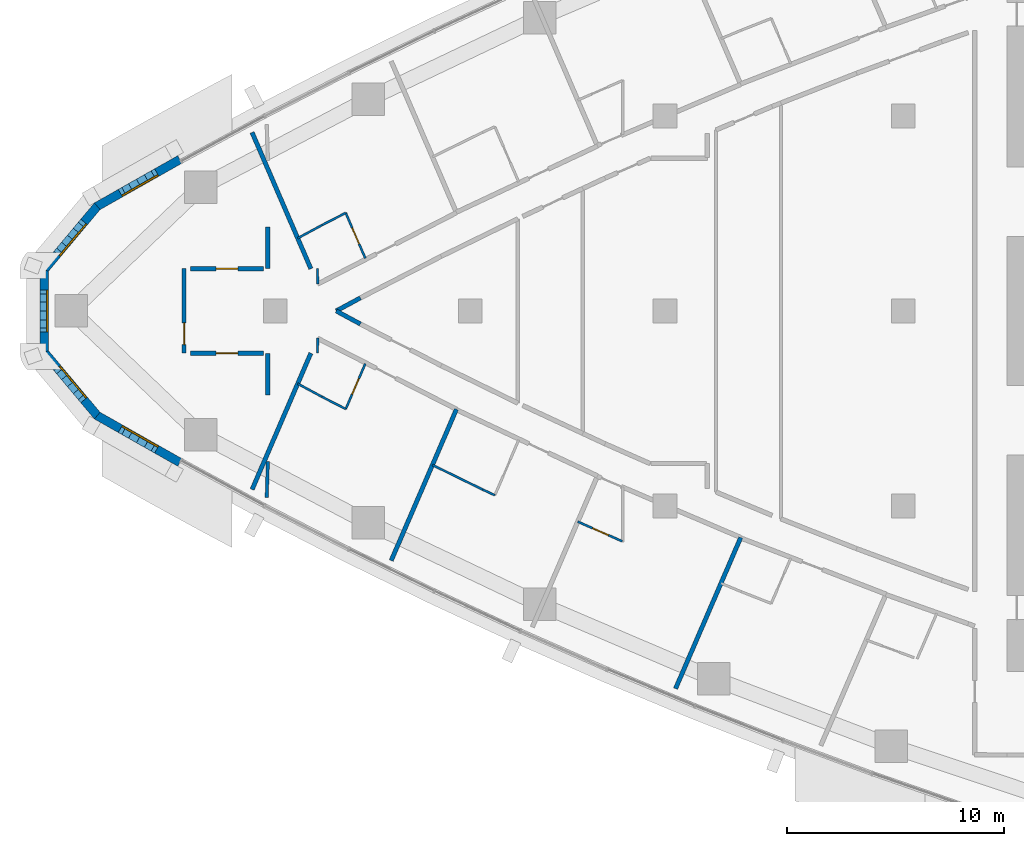
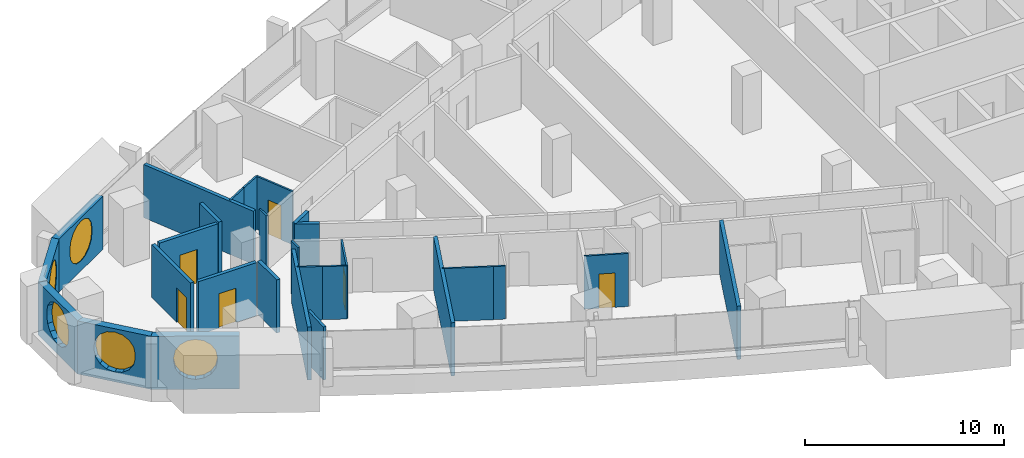
# One storey, part 8 of 17: 28 walls, 6 doors, 5 windows, 11 openings.
"""IFC4 building model written with IfcOpenShell, lengths in metres."""

import ifcopenshell
import ifcopenshell.guid

model = None  # the IFC model being written
_history = None  # IfcOwnerHistory: only IFC2X3 demands one
_inside = {}  # id of a spatial element -> (the spatial element, [elements in it])
_under = {}  # id of a project, library or spatial element -> (it, [spatial elements below it])
_declared = {}  # id of a project -> (the project, [libraries it declares])
_typed = {}  # id of a type object -> (the type object, [elements of that type])
_made_of = {}  # id of a material, layer set ... -> (it, [elements and type objects made of it])


def new_model(schema):
    """Start an empty IFC model of exactly this schema.

    Asked for "IFC4X3", IfcOpenShell would pick the latest addendum, in which some entities
    have other attributes; the version numbers below select the first issue.
    IFC2X3 requires an IfcOwnerHistory on every rooted entity: one is made here for all.
    """
    global model, _history
    if schema == "IFC4X3":
        model = ifcopenshell.file(schema_version=(4, 3, 0, 0))
    else:
        model = ifcopenshell.file(schema=schema)
    _inside.clear()
    _under.clear()
    _declared.clear()
    _typed.clear()
    _made_of.clear()
    _history = None
    if model.schema == "IFC2X3":
        org = make("IfcOrganization", Name="unknown")
        user = make(
            "IfcPersonAndOrganization",
            ThePerson=make("IfcPerson", FamilyName="unknown"),
            TheOrganization=org,
        )
        app = make(
            "IfcApplication",
            ApplicationDeveloper=org,
            Version="unknown",
            ApplicationFullName="unknown",
            ApplicationIdentifier="unknown",
        )
        _history = make(
            "IfcOwnerHistory",
            OwningUser=user,
            OwningApplication=app,
            ChangeAction="ADDED",
            CreationDate=0,
        )
    return model


def make(cls, **values):
    """One entity of the class cls with the attributes given. An attribute that is None is left unset."""
    return model.create_entity(
        cls, **{name: value for name, value in values.items() if value is not None}
    )


def rooted(cls, **values):
    """An entity with a GlobalId (a new one), such as an element, a storey or a relation."""
    return make(cls, GlobalId=ifcopenshell.guid.new(), OwnerHistory=_history, **values)


def si_unit(unit_type, name, prefix=None):
    """IfcSIUnit, for example si_unit("LENGTHUNIT", "METRE", prefix="MILLI")."""
    return make("IfcSIUnit", UnitType=unit_type, Prefix=prefix, Name=name)


def assignment(units):
    """IfcUnitAssignment: the units of a project."""
    return None if units is None else make("IfcUnitAssignment", Units=units)


def point(xyz):
    """IfcCartesianPoint."""
    return None if xyz is None else make("IfcCartesianPoint", Coordinates=xyz)


def direction(xyz):
    """IfcDirection."""
    return None if xyz is None else make("IfcDirection", DirectionRatios=xyz)


def frame(location, z_axis=None, x_axis=None):
    """IfcAxis2Placement3D, a coordinate frame: its origin and axes. An axis left out is left unset."""
    return make(
        "IfcAxis2Placement3D",
        Location=point(location),
        Axis=direction(z_axis),
        RefDirection=direction(x_axis),
    )


def frame_2d(location, x_axis=None):
    """IfcAxis2Placement2D, a coordinate frame in the plane: its origin and x axis."""
    return make(
        "IfcAxis2Placement2D", Location=point(location), RefDirection=direction(x_axis)
    )


def origin():
    """The frame at (0, 0, 0) with its axes left unset."""
    return frame((0.0, 0.0, 0.0))


def place(relative_to, where):
    """IfcLocalPlacement: puts the frame where relative to a parent placement (None: the world)."""
    return make(
        "IfcLocalPlacement", PlacementRelTo=relative_to, RelativePlacement=where
    )


def context(
    kind, dimensions, precision=None, world=None, true_north=None, identifier=None
):
    """IfcGeometricRepresentationContext, for example the 3D "Model" context."""
    return make(
        "IfcGeometricRepresentationContext",
        ContextIdentifier=identifier,
        ContextType=kind,
        CoordinateSpaceDimension=dimensions,
        Precision=precision,
        WorldCoordinateSystem=world,
        TrueNorth=true_north,
    )


def subcontext(parent, identifier, kind, view, scale=None):
    """IfcGeometricRepresentationSubContext, for example "Body" below "Model"."""
    return make(
        "IfcGeometricRepresentationSubContext",
        ContextIdentifier=identifier,
        ContextType=kind,
        ParentContext=parent,
        TargetScale=scale,
        TargetView=view,
    )


def project(units=None, contexts=None):
    """IfcProject with its units and contexts."""
    return rooted(
        "IfcProject",
        Name="project",
        RepresentationContexts=contexts,
        UnitsInContext=assignment(units),
    )


def spatial(cls, under=None, at=None, **own):
    """A site, building, storey or space (cls), placed at a placement, below another one or the project."""
    s = rooted(cls, ObjectPlacement=at, **own)
    if under is not None:
        _under.setdefault(under.id(), (under, []))[1].append(s)
    return s


def polyline(points):
    """IfcPolyline through the points."""
    return make("IfcPolyline", Points=[point(p) for p in points])


def profile(cls, at=None, kind="AREA", **sizes):
    """A parametric profile (cls). Its sizes go by their IFC names, for example OverallWidth=200.0."""
    return make(cls, ProfileType=kind, Position=at, **sizes)


def rectangle(**sizes):
    """IfcRectangleProfileDef."""
    return profile("IfcRectangleProfileDef", **sizes)


def outline(outer, holes=None, kind="AREA"):
    """IfcArbitraryClosedProfileDef: a profile drawn as a closed curve; with holes, ...WithVoids."""
    if holes is None:
        return make("IfcArbitraryClosedProfileDef", ProfileType=kind, OuterCurve=outer)
    return make(
        "IfcArbitraryProfileDefWithVoids",
        ProfileType=kind,
        OuterCurve=outer,
        InnerCurves=holes,
    )


def extrude(swept, where, along, depth):
    """IfcExtrudedAreaSolid: the profile swept, set in the frame where, extruded along a direction by depth."""
    return make(
        "IfcExtrudedAreaSolid",
        SweptArea=swept,
        Position=where,
        ExtrudedDirection=direction(along),
        Depth=depth,
    )


def shape(context_of_items, identifier, shape_type, items):
    """IfcShapeRepresentation: the items that make up one representation, for example the "Body"."""
    return make(
        "IfcShapeRepresentation",
        ContextOfItems=context_of_items,
        RepresentationIdentifier=identifier,
        RepresentationType=shape_type,
        Items=items,
    )


def material(Name=None, Category=None):
    """IfcMaterial."""
    return make("IfcMaterial", Name=Name, Category=Category)


def layer(
    of_material, thickness, ventilated=None, Name=None, Category=None, Priority=None
):
    """IfcMaterialLayer: one layer of a wall or slab, of a material (None: an air gap)."""
    return make(
        "IfcMaterialLayer",
        Material=of_material,
        LayerThickness=thickness,
        IsVentilated=ventilated,
        Name=Name,
        Category=Category,
        Priority=Priority,
    )


def layer_set(layers, Name=None):
    """IfcMaterialLayerSet."""
    return make("IfcMaterialLayerSet", MaterialLayers=layers, LayerSetName=Name)


def made_of(thing, what):
    """Note that an element or type object is made of a material, layer set ...; save() writes the relation."""
    if what is not None:
        _made_of.setdefault(what.id(), (what, []))[1].append(thing)
    return thing


def type_object(cls, material=None, **own):
    """A type object (cls), such as IfcWallType, which elements share."""
    return made_of(rooted(cls, **own), material)


def element(
    cls,
    number,
    at=None,
    inside=None,
    cuts=None,
    type_object=None,
    material=None,
    context=None,
    identifier="Body",
    shape_type=None,
    held_by="IfcProductDefinitionShape",
    body=None,
    shapes=None,
    **own,
):
    """One element of the class cls, such as IfcWall. Its Tag is "e" and its number.

    at: its placement. inside: the storey or other place that contains it. cuts: it is an
    opening in that element (IfcRelVoidsElement). A single representation is given by context,
    identifier, shape_type and body (its items); several are given by shapes. held_by: the class
    of the entity that holds the representations. save() writes the other relations.
    """
    e = rooted(cls, Tag="e%d" % number, ObjectPlacement=at, **own)
    if body is not None:
        shapes = [shape(context, identifier, shape_type, body)]
    if shapes is not None:
        e.Representation = make(held_by, Representations=shapes)
    if inside is not None:
        _inside.setdefault(inside.id(), (inside, []))[1].append(e)
    if cuts is not None:
        rooted(
            "IfcRelVoidsElement", RelatingBuildingElement=cuts, RelatedOpeningElement=e
        )
    if type_object is not None:
        _typed.setdefault(type_object.id(), (type_object, []))[1].append(e)
    return made_of(e, material)


def fill(opening, filler):
    """IfcRelFillsElement: the door or window that sits in an opening."""
    return rooted(
        "IfcRelFillsElement",
        RelatingOpeningElement=opening,
        RelatedBuildingElement=filler,
    )


def aggregate(whole, parts):
    """IfcRelAggregates: a whole, such as a stair, and the parts it consists of."""
    return rooted("IfcRelAggregates", RelatingObject=whole, RelatedObjects=parts)


def save(model, path):
    """Write the relations noted so far, then the file.

    IfcRelAggregates (storeys below a building ...), IfcRelContainedInSpatialStructure (elements
    in a storey), IfcRelDefinesByType, IfcRelAssociatesMaterial and IfcRelDeclares: one each for
    every whole, place, type object, material and project.
    """
    for whole, parts in _under.values():
        aggregate(whole, parts)
    for where, things in _inside.values():
        rooted(
            "IfcRelContainedInSpatialStructure",
            RelatedElements=things,
            RelatingStructure=where,
        )
    for kind, things in _typed.values():
        rooted("IfcRelDefinesByType", RelatedObjects=things, RelatingType=kind)
    for what, things in _made_of.values():
        rooted("IfcRelAssociatesMaterial", RelatedObjects=things, RelatingMaterial=what)
    for by, libraries in _declared.values():
        rooted("IfcRelDeclares", RelatingContext=by, RelatedDefinitions=libraries)
    model.write(path)


model = new_model("IFC4")

# Units and contexts
model_context = context("Model", 3, precision=1e-05, world=origin(), true_north=direction((0.0, 1.0)))
body_context = subcontext(model_context, "Body", "Model", "MODEL_VIEW")
ifc_project = project(units=[si_unit("LENGTHUNIT", "METRE"), si_unit("AREAUNIT", "SQUARE_METRE"), si_unit("VOLUMEUNIT", "CUBIC_METRE"), si_unit("PLANEANGLEUNIT", "RADIAN"), si_unit("MASSUNIT", "GRAM", prefix="KILO")], contexts=[model_context])

# Site, building, storey
site_placement = place(None, origin())
site = spatial("IfcSite", under=ifc_project, at=site_placement, CompositionType="ELEMENT")
building_placement = place(site_placement, origin())
building = spatial("IfcBuilding", under=site, at=building_placement, Name="Ostrand Prow Hotel Tower", CompositionType="ELEMENT")
storey_placement = place(building_placement, frame((0.0, 0.0, 144.39990234375)))
storey = spatial("IfcBuildingStorey", under=building, at=storey_placement, Name="L35", CompositionType="ELEMENT", Elevation=144.39990234375)

# Walls
ifc_material_1 = material(Name="Plasterboard partition")
ifc_layer_1 = layer(ifc_material_1, 0.10009765625)
ifc_layer_set_1 = layer_set([ifc_layer_1], Name="Plasterboard partition")
wall_type_1 = type_object("IfcWallType", Name="Partition 100 bathroom wall", PredefinedType="PARTITIONING", material=ifc_layer_set_1)
wall_1_placement = place(storey_placement, frame((17.03564453125, 3.3583984375, 0.0), z_axis=(0.0, 0.0, 1.0), x_axis=(0.879823588489, 0.475300382009, 0.0)))
element("IfcWall", 1, at=wall_1_placement, inside=storey, type_object=wall_type_1, Name="BATHROOM WALL", PredefinedType="PARTITIONING", context=body_context, shape_type="SweptSolid", body=[
    extrude(rectangle(XDim=1.27294921875, YDim=0.10009765625, at=frame_2d((0.636474609375, 0.0))), origin(), (0.0, 0.0, 1.0), 3.25),
])
wall_2_placement = place(storey_placement, frame((18.155517578125, 3.96337890625, 0.0), z_axis=(0.0, 0.0, 1.0), x_axis=(0.889106231322, 0.457700895154, 0.0)))
element("IfcWall", 2, at=wall_2_placement, inside=storey, type_object=wall_type_1, Name="BATHROOM WALL", PredefinedType="PARTITIONING", context=body_context, shape_type="SweptSolid", body=[
    extrude(rectangle(XDim=1.23486328125, YDim=0.10009765625, at=frame_2d((0.617431640625, 0.0))), origin(), (0.0, 0.0, 1.0), 3.25),
])

# Wall, opening, door
wall_3_placement = place(storey_placement, frame((19.253662109375, 4.528564453125, 0.0), z_axis=(0.0, 0.0, 1.0), x_axis=(0.395958457437, -0.9182684248, 0.0)))
wall_3 = element("IfcWall", 3, at=wall_3_placement, inside=storey, type_object=wall_type_1, Name="BATHROOM WALL", PredefinedType="PARTITIONING", context=body_context, shape_type="SweptSolid", body=[
    extrude(rectangle(XDim=2.281982421875, YDim=0.10009765625, at=frame_2d((1.14111328125, 0.0))), origin(), (0.0, 0.0, 1.0), 3.25),
])
opening_1_placement = place(wall_3_placement, frame((0.75, 0.0, 0.0)))
opening_1 = element("IfcOpeningElement", 4, at=opening_1_placement, cuts=wall_3, Name="Opening D2", PredefinedType="OPENING", context=body_context, shape_type="SweptSolid", body=[
    extrude(rectangle(XDim=0.800048828125, YDim=2.10009765625, at=frame_2d((0.39990234375, 1.050048828125))), frame((0.0, 0.06005859375, 0.0), z_axis=(0.0, -1.0, 0.0), x_axis=(1.0, 0.0, 0.0)), (0.0, 0.0, 1.0), 0.1201171875),
])
ifc_material_2 = material(Name="Timber door leaf", Category="wood")
door_type_1 = type_object("IfcDoorType", Name="Bathroom door 800", OperationType="SINGLE_SWING_LEFT", PredefinedType="DOOR", material=ifc_material_2)
door_1_placement = place(opening_1_placement, origin())
door_1 = element("IfcDoor", 5, at=door_1_placement, inside=storey, type_object=door_type_1, Name="DOOR", OperationType="SINGLE_SWING_LEFT", OverallHeight=2.10009765625, OverallWidth=0.800048828125, PredefinedType="DOOR", context=body_context, shape_type="SweptSolid", body=[
    extrude(rectangle(XDim=0.800048828125, YDim=2.10009765625, at=frame_2d((0.39990234375, 1.050048828125))), frame((0.0, 0.02490234375, 0.0), z_axis=(0.0, -1.0, 0.0), x_axis=(1.0, 0.0, 0.0)), (0.0, 0.0, 1.0), 0.050048828125),
])
fill(opening_1, door_1)

wall_4_placement = place(storey_placement, frame((20.1572265625, -2.43310546875, 0.0), z_axis=(0.0, 0.0, 1.0), x_axis=(-0.395958457437, -0.9182684248, 0.0)))
wall_4 = element("IfcWall", 6, at=wall_4_placement, inside=storey, type_object=wall_type_1, Name="BATHROOM WALL", PredefinedType="PARTITIONING", context=body_context, shape_type="SweptSolid", body=[
    extrude(rectangle(XDim=2.281982421875, YDim=0.10009765625, at=frame_2d((1.14111328125, 0.0))), origin(), (0.0, 0.0, 1.0), 3.25),
])
opening_2_placement = place(wall_4_placement, frame((0.75, 0.0, 0.0)))
opening_2 = element("IfcOpeningElement", 7, at=opening_2_placement, cuts=wall_4, Name="Opening D2", PredefinedType="OPENING", context=body_context, shape_type="SweptSolid", body=[
    extrude(rectangle(XDim=0.800048828125, YDim=2.10009765625, at=frame_2d((0.39990234375, 1.050048828125))), frame((0.0, 0.06005859375, 0.0), z_axis=(0.0, -1.0, 0.0), x_axis=(1.0, 0.0, 0.0)), (0.0, 0.0, 1.0), 0.1201171875),
])
door_2_placement = place(opening_2_placement, origin())
door_2 = element("IfcDoor", 8, at=door_2_placement, inside=storey, type_object=door_type_1, Name="DOOR", OperationType="SINGLE_SWING_LEFT", OverallHeight=2.10009765625, OverallWidth=0.800048828125, PredefinedType="DOOR", context=body_context, shape_type="SweptSolid", body=[
    extrude(rectangle(XDim=0.800048828125, YDim=2.10009765625, at=frame_2d((0.39990234375, 1.050048828125))), frame((0.0, 0.02490234375, 0.0), z_axis=(0.0, -1.0, 0.0), x_axis=(1.0, 0.0, 0.0)), (0.0, 0.0, 1.0), 0.050048828125),
])
fill(opening_2, door_2)

# Walls
wall_5_placement = place(storey_placement, frame((19.25341796875, -4.528564453125, 0.0), z_axis=(0.0, 0.0, 1.0), x_axis=(-0.889106231322, 0.457700895154, 0.0)))
element("IfcWall", 9, at=wall_5_placement, inside=storey, type_object=wall_type_1, Name="BATHROOM WALL", PredefinedType="PARTITIONING", context=body_context, shape_type="SweptSolid", body=[
    extrude(rectangle(XDim=1.23486328125, YDim=0.10009765625, at=frame_2d((0.617431640625, 0.0))), origin(), (0.0, 0.0, 1.0), 3.25),
])
wall_6_placement = place(storey_placement, frame((18.155517578125, -3.96337890625, 0.0), z_axis=(0.0, 0.0, 1.0), x_axis=(-0.879823588489, 0.475300382009, 0.0)))
element("IfcWall", 10, at=wall_6_placement, inside=storey, type_object=wall_type_1, Name="BATHROOM WALL", PredefinedType="PARTITIONING", context=body_context, shape_type="SweptSolid", body=[
    extrude(rectangle(XDim=1.27294921875, YDim=0.10009765625, at=frame_2d((0.636474609375, 0.0))), origin(), (0.0, 0.0, 1.0), 3.25),
])
wall_7_placement = place(storey_placement, frame((26.1396484375, -8.510009765625, 0.0), z_axis=(0.0, 0.0, 1.0), x_axis=(-0.906923333349, 0.421295700699, 0.0)))
element("IfcWall", 11, at=wall_7_placement, inside=storey, type_object=wall_type_1, Name="BATHROOM WALL", PredefinedType="PARTITIONING", context=body_context, shape_type="SweptSolid", body=[
    extrude(rectangle(XDim=0.622314453125, YDim=0.10009765625, at=frame_2d((0.31103515625, 0.0))), origin(), (0.0, 0.0, 1.0), 3.25),
])
wall_8_placement = place(storey_placement, frame((25.5751953125, -8.247802734375, 0.0), z_axis=(0.0, 0.0, 1.0), x_axis=(-0.89814200952, 0.439705504555, 0.0)))
element("IfcWall", 12, at=wall_8_placement, inside=storey, type_object=wall_type_1, Name="BATHROOM WALL", PredefinedType="PARTITIONING", context=body_context, shape_type="SweptSolid", body=[
    extrude(rectangle(XDim=2.580810546875, YDim=0.10009765625, at=frame_2d((1.29052734375, 0.0))), origin(), (0.0, 0.0, 1.0), 3.25),
])

# Wall, opening, door
wall_9_placement = place(storey_placement, frame((32.02783203125, -10.638427734375, 0.0), z_axis=(0.0, 0.0, 1.0), x_axis=(-0.915118086658, 0.403185921719, 0.0)))
wall_9 = element("IfcWall", 13, at=wall_9_placement, inside=storey, type_object=wall_type_1, Name="BATHROOM WALL", PredefinedType="PARTITIONING", context=body_context, shape_type="SweptSolid", body=[
    extrude(rectangle(XDim=2.24951171875, YDim=0.10009765625, at=frame_2d((1.124755859375, 0.0))), origin(), (0.0, 0.0, 1.0), 3.25),
])
opening_3_placement = place(wall_9_placement, frame((0.699951171875, 0.0, 0.0)))
opening_3 = element("IfcOpeningElement", 14, at=opening_3_placement, cuts=wall_9, Name="Opening D2", PredefinedType="OPENING", context=body_context, shape_type="SweptSolid", body=[
    extrude(rectangle(XDim=0.800048828125, YDim=2.10009765625, at=frame_2d((0.39990234375, 1.050048828125))), frame((0.0, 0.06005859375, 0.0), z_axis=(0.0, -1.0, 0.0), x_axis=(1.0, 0.0, 0.0)), (0.0, 0.0, 1.0), 0.1201171875),
])
door_3_placement = place(opening_3_placement, origin())
door_3 = element("IfcDoor", 15, at=door_3_placement, inside=storey, type_object=door_type_1, Name="DOOR", OperationType="SINGLE_SWING_LEFT", OverallHeight=2.10009765625, OverallWidth=0.800048828125, PredefinedType="DOOR", context=body_context, shape_type="SweptSolid", body=[
    extrude(rectangle(XDim=0.800048828125, YDim=2.10009765625, at=frame_2d((0.39990234375, 1.050048828125))), frame((0.0, 0.02490234375, 0.0), z_axis=(0.0, -1.0, 0.0), x_axis=(1.0, 0.0, 0.0)), (0.0, 0.0, 1.0), 0.050048828125),
])
fill(opening_3, door_3)

# Walls
for number, where, z_axis, x_axis, name in (
    (16, (17.959716796875, 1.248779296875, 0.0), (0.0, 0.0, 1.0), (-0.007291472831, 0.999973416859, 0.0), "BATHROOM WALL"),
    (17, (17.95458984375, -1.951904296875, 0.0), (0.0, 0.0, 1.0), (0.007291472831, 0.999973416859, 0.0), "BATHROOM WALL"),
):
    element("IfcWall", number, at=place(storey_placement, frame(where, z_axis=z_axis, x_axis=x_axis)), inside=storey, type_object=wall_type_1, Name=name, PredefinedType="PARTITIONING", context=body_context, shape_type="SweptSolid", body=[
        extrude(rectangle(XDim=0.703125, YDim=0.10009765625, at=frame_2d((0.3515625, 0.0))), origin(), (0.0, 0.0, 1.0), 3.25),
    ])
ifc_material_3 = material(Name="Plasterboard partition")
ifc_layer_2 = layer(ifc_material_3, 0.14990234375)
ifc_layer_set_2 = layer_set([ifc_layer_2], Name="Plasterboard partition")
wall_type_2 = type_object("IfcWallType", Name="Partition 150 room partition", PredefinedType="PARTITIONING", material=ifc_layer_set_2)
wall_10_placement = place(storey_placement, frame((15.65869140625, -6.955078125, 0.0), z_axis=(0.0, 0.0, 1.0), x_axis=(-0.033196927484, -0.999448830109, 0.0)))
element("IfcWall", 18, at=wall_10_placement, inside=storey, type_object=wall_type_2, Name="ROOM PARTITION", PredefinedType="PARTITIONING", context=body_context, shape_type="SweptSolid", body=[
    extrude(rectangle(XDim=1.65478515625, YDim=0.14990234375, at=frame_2d((0.827392578125, 0.0))), origin(), (0.0, 0.0, 1.0), 3.25),
])

# Wall, opening, door
ifc_material_4 = material(Name="Plasterboard partition")
ifc_layer_3 = layer(ifc_material_4, 0.199951171875)
ifc_layer_set_3 = layer_set([ifc_layer_3], Name="Plasterboard partition")
wall_type_3 = type_object("IfcWallType", Name="Partition 200 corridor wall", PredefinedType="PARTITIONING", material=ifc_layer_set_3)
wall_11_placement = place(storey_placement, frame((12.086669921875, 1.949951171875, 0.0), z_axis=(0.0, 0.0, 1.0), x_axis=(1.0, 0.0, 0.0)))
wall_11 = element("IfcWall", 19, at=wall_11_placement, inside=storey, type_object=wall_type_3, Name="CORRIDOR WALL", PredefinedType="PARTITIONING", context=body_context, shape_type="SweptSolid", body=[
    extrude(rectangle(XDim=3.3720703125, YDim=0.199951171875, at=frame_2d((1.68603515625, 0.0))), origin(), (0.0, 0.0, 1.0), 3.25),
])
opening_4_placement = place(wall_11_placement, frame((1.18603515625, 0.0, 0.0)))
opening_4 = element("IfcOpeningElement", 20, at=opening_4_placement, cuts=wall_11, Name="Opening D1", PredefinedType="OPENING", context=body_context, shape_type="SweptSolid", body=[
    extrude(rectangle(XDim=1.0, YDim=2.10009765625, at=frame_2d((0.5, 1.050048828125))), frame((0.0, 0.10986328125, 0.0), z_axis=(0.0, -1.0, 0.0), x_axis=(1.0, 0.0, 0.0)), (0.0, 0.0, 1.0), 0.219970703125),
])
ifc_material_5 = material(Name="Timber door leaf", Category="wood")
door_type_2 = type_object("IfcDoorType", Name="Guest room door 1000", OperationType="SINGLE_SWING_LEFT", PredefinedType="DOOR", material=ifc_material_5)
door_4_placement = place(opening_4_placement, origin())
door_4 = element("IfcDoor", 21, at=door_4_placement, inside=storey, type_object=door_type_2, Name="DOOR", OperationType="SINGLE_SWING_LEFT", OverallHeight=2.10009765625, OverallWidth=1.0, PredefinedType="DOOR", context=body_context, shape_type="SweptSolid", body=[
    extrude(rectangle(XDim=1.0, YDim=2.10009765625, at=frame_2d((0.5, 1.050048828125))), frame((0.0, 0.02490234375, 0.0), z_axis=(0.0, -1.0, 0.0), x_axis=(1.0, 0.0, 0.0)), (0.0, 0.0, 1.0), 0.050048828125),
])
fill(opening_4, door_4)

wall_12_placement = place(storey_placement, frame((12.086669921875, -1.949951171875, 0.0), z_axis=(0.0, 0.0, 1.0), x_axis=(1.0, 0.0, 0.0)))
wall_12 = element("IfcWall", 22, at=wall_12_placement, inside=storey, type_object=wall_type_3, Name="CORRIDOR WALL", PredefinedType="PARTITIONING", context=body_context, shape_type="SweptSolid", body=[
    extrude(rectangle(XDim=3.3720703125, YDim=0.199951171875, at=frame_2d((1.68603515625, 0.0))), origin(), (0.0, 0.0, 1.0), 3.25),
])
opening_5_placement = place(wall_12_placement, frame((1.18603515625, 0.0, 0.0)))
opening_5 = element("IfcOpeningElement", 23, at=opening_5_placement, cuts=wall_12, Name="Opening D1R", PredefinedType="OPENING", context=body_context, shape_type="SweptSolid", body=[
    extrude(rectangle(XDim=1.0, YDim=2.10009765625, at=frame_2d((0.5, 1.050048828125))), frame((0.0, 0.10986328125, 0.0), z_axis=(0.0, -1.0, 0.0), x_axis=(1.0, 0.0, 0.0)), (0.0, 0.0, 1.0), 0.219970703125),
])
ifc_material_6 = material(Name="Timber door leaf", Category="wood")
door_type_3 = type_object("IfcDoorType", Name="Guest room door 1000 right", OperationType="SINGLE_SWING_RIGHT", PredefinedType="DOOR", material=ifc_material_6)
door_5_placement = place(opening_5_placement, origin())
door_5 = element("IfcDoor", 24, at=door_5_placement, inside=storey, type_object=door_type_3, Name="DOOR", OperationType="SINGLE_SWING_RIGHT", OverallHeight=2.10009765625, OverallWidth=1.0, PredefinedType="DOOR", context=body_context, shape_type="SweptSolid", body=[
    extrude(rectangle(XDim=1.0, YDim=2.10009765625, at=frame_2d((0.5, 1.050048828125))), frame((0.0, 0.02490234375, 0.0), z_axis=(0.0, -1.0, 0.0), x_axis=(1.0, 0.0, 0.0)), (0.0, 0.0, 1.0), 0.050048828125),
])
fill(opening_5, door_5)

# Walls
for number, where, z_axis, x_axis, name in (
    (25, (19.928466796875, -0.60205078125, 0.0), (0.0, 0.0, 1.0), (-0.879832865766, 0.475283208538, 0.0), "CORRIDOR WALL"),
    (26, (18.81396484375, 0.0, 0.0), (0.0, 0.0, 1.0), (0.879832865766, 0.475283208538, 0.0), "CORRIDOR WALL"),
):
    element("IfcWall", number, at=place(storey_placement, frame(where, z_axis=z_axis, x_axis=x_axis)), inside=storey, type_object=wall_type_3, Name=name, PredefinedType="PARTITIONING", context=body_context, shape_type="SweptSolid", body=[
        extrude(rectangle(XDim=1.2666015625, YDim=0.199951171875, at=frame_2d((0.63330078125, 0.0))), origin(), (0.0, 0.0, 1.0), 3.25),
    ])
wall_13_placement = place(storey_placement, frame((15.65869140625, 3.869384765625, 0.0), z_axis=(0.0, 0.0, 1.0), x_axis=(0.0, -1.0, 0.0)))
element("IfcWall", 27, at=wall_13_placement, inside=storey, type_object=wall_type_3, Name="CORRIDOR WALL", PredefinedType="PARTITIONING", context=body_context, shape_type="SweptSolid", body=[
    extrude(rectangle(XDim=1.914306640625, YDim=0.199951171875, at=frame_2d((0.95703125, 0.0))), origin(), (0.0, 0.0, 1.0), 3.25),
])
wall_14_placement = place(storey_placement, frame((15.65869140625, -1.955078125, 0.0), z_axis=(0.0, 0.0, 1.0), x_axis=(0.0, -1.0, 0.0)))
element("IfcWall", 28, at=wall_14_placement, inside=storey, type_object=wall_type_3, Name="CORRIDOR WALL", PredefinedType="PARTITIONING", context=body_context, shape_type="SweptSolid", body=[
    extrude(rectangle(XDim=1.921630859375, YDim=0.199951171875, at=frame_2d((0.9609375, 0.0))), origin(), (0.0, 0.0, 1.0), 3.25),
])
ifc_material_7 = material(Name="Plasterboard partition")
ifc_layer_4 = layer(ifc_material_7, 0.199951171875)
ifc_layer_set_4 = layer_set([ifc_layer_4], Name="Plasterboard partition")
wall_type_4 = type_object("IfcWallType", Name="Partition 200 key partition", PredefinedType="PARTITIONING", material=ifc_layer_set_4)
for number, where, z_axis, x_axis, name in (
    (29, (17.64306640625, 1.949951171875, 0.0), (0.0, 0.0, 1.0), (-0.395994543879, 0.918252863441, 0.0), "KEY PARTITION"),
    (30, (14.9287109375, -8.244140625, 0.0), (0.0, 0.0, 1.0), (0.395994543879, 0.918252863441, 0.0), "KEY PARTITION"),
):
    element("IfcWall", number, at=place(storey_placement, frame(where, z_axis=z_axis, x_axis=x_axis)), inside=storey, type_object=wall_type_4, Name=name, PredefinedType="PARTITIONING", context=body_context, shape_type="SweptSolid", body=[
        extrude(rectangle(XDim=6.8544921875, YDim=0.199951171875, at=frame_2d((3.42724609375, 0.0))), origin(), (0.0, 0.0, 1.0), 3.25),
    ])
wall_15_placement = place(storey_placement, frame((21.3544921875, -11.52587890625, 0.0), z_axis=(0.0, 0.0, 1.0), x_axis=(0.395982367396, 0.918258114427, 0.0)))
element("IfcWall", 31, at=wall_15_placement, inside=storey, type_object=wall_type_4, Name="KEY PARTITION", PredefinedType="PARTITIONING", context=body_context, shape_type="SweptSolid", body=[
    extrude(rectangle(XDim=7.60888671875, YDim=0.199951171875, at=frame_2d((3.804443359375, 0.0))), origin(), (0.0, 0.0, 1.0), 3.25),
])
wall_16_placement = place(storey_placement, frame((34.485107421875, -17.441650390625, 0.0), z_axis=(0.0, 0.0, 1.0), x_axis=(0.396019423722, 0.918242133664, 0.0)))
element("IfcWall", 32, at=wall_16_placement, inside=storey, type_object=wall_type_4, Name="KEY PARTITION", PredefinedType="PARTITIONING", context=body_context, shape_type="SweptSolid", body=[
    extrude(rectangle(XDim=7.6005859375, YDim=0.199951171875, at=frame_2d((3.80029296875, 0.0))), origin(), (0.0, 0.0, 1.0), 3.25),
])

# Wall, opening, door
ifc_material_8 = material(Name="Plasterboard partition")
ifc_layer_5 = layer(ifc_material_8, 0.199951171875)
ifc_layer_set_5 = layer_set([ifc_layer_5], Name="Plasterboard partition")
wall_type_5 = type_object("IfcWallType", Name="Partition 200 lounge wall", PredefinedType="PARTITIONING", material=ifc_layer_set_5)
wall_17_placement = place(storey_placement, frame((11.78662109375, -1.949951171875, 0.0), z_axis=(0.0, 0.0, 1.0), x_axis=(0.0, 1.0, 0.0)))
wall_17 = element("IfcWall", 33, at=wall_17_placement, inside=storey, type_object=wall_type_5, Name="LOUNGE WALL", PredefinedType="PARTITIONING", context=body_context, shape_type="SweptSolid", body=[
    extrude(rectangle(XDim=3.89990234375, YDim=0.199951171875, at=frame_2d((1.949951171875, 0.0))), origin(), (0.0, 0.0, 1.0), 3.25),
])
opening_6_placement = place(wall_17_placement, frame((0.39990234375, 0.0, 0.0)))
opening_6 = element("IfcOpeningElement", 34, at=opening_6_placement, cuts=wall_17, Name="Opening D1", PredefinedType="OPENING", context=body_context, shape_type="SweptSolid", body=[
    extrude(rectangle(XDim=1.0, YDim=2.10009765625, at=frame_2d((0.5, 1.050048828125))), frame((0.0, 0.10986328125, 0.0), z_axis=(0.0, -1.0, 0.0), x_axis=(1.0, 0.0, 0.0)), (0.0, 0.0, 1.0), 0.219970703125),
])
door_6_placement = place(opening_6_placement, origin())
door_6 = element("IfcDoor", 35, at=door_6_placement, inside=storey, type_object=door_type_2, Name="DOOR", OperationType="SINGLE_SWING_LEFT", OverallHeight=2.10009765625, OverallWidth=1.0, PredefinedType="DOOR", context=body_context, shape_type="SweptSolid", body=[
    extrude(rectangle(XDim=1.0, YDim=2.10009765625, at=frame_2d((0.5, 1.050048828125))), frame((0.0, 0.02490234375, 0.0), z_axis=(0.0, -1.0, 0.0), x_axis=(1.0, 0.0, 0.0)), (0.0, 0.0, 1.0), 0.050048828125),
])
fill(opening_6, door_6)

# Wall, opening, window
ifc_material_9 = material(Name="Precast concrete C40/50", Category="concrete")
ifc_layer_6 = layer(ifc_material_9, 0.39990234375)
ifc_layer_set_6 = layer_set([ifc_layer_6], Name="Precast concrete C40/50")
wall_type_6 = type_object("IfcWallType", Name="Stone-faced precast wall 400 mm", PredefinedType="NOTDEFINED", material=ifc_layer_set_6)
wall_18_placement = place(storey_placement, frame((11.594482421875, 6.996826171875, 0.0), z_axis=(0.0, 0.0, 1.0), x_axis=(-0.870045255208, -0.492971859125, 0.0)))
wall_18 = element("IfcWall", 36, at=wall_18_placement, inside=storey, type_object=wall_type_6, Name="Stone-faced wall prow 1", PredefinedType="NOTDEFINED", context=body_context, shape_type="SweptSolid", body=[
    extrude(outline(polyline([(0.0, -0.199951171875), (4.424072265625, -0.199951171875), (4.351806640625, 0.199951171875), (0.0, 0.199951171875), (0.0, -0.199951171875)])), origin(), (0.0, 0.0, 1.0), 3.25),
])
opening_7_placement = place(wall_18_placement, frame((1.093994140625, 0.0, 0.60009765625)))
opening_7 = element("IfcOpeningElement", 37, at=opening_7_placement, cuts=wall_18, Name="Opening WP1", PredefinedType="OPENING", context=body_context, shape_type="SweptSolid", body=[
    extrude(outline(polyline([(0.0, 1.35009765625), (0.083740234375, 1.77099609375), (0.322265625, 2.127685546875), (0.678955078125, 2.3662109375), (1.10009765625, 2.449951171875), (1.52099609375, 2.3662109375), (1.877685546875, 2.127685546875), (2.1162109375, 1.77099609375), (2.199951171875, 1.35009765625), (2.199951171875, 1.10009765625), (2.1162109375, 0.678955078125), (1.877685546875, 0.322265625), (1.52099609375, 0.083740234375), (1.10009765625, 0.0), (0.678955078125, 0.083740234375), (0.322265625, 0.322265625), (0.083740234375, 0.678955078125), (0.0, 1.099853515625), (0.0, 1.35009765625)])), frame((0.0, 0.2099609375, 0.0), z_axis=(0.0, -1.0, 0.0), x_axis=(1.0, 0.0, 0.0)), (0.0, 0.0, 1.0), 0.419921875),
])
ifc_material_10 = material(Name="Insulated glass in bronze frame", Category="glass")
window_type = type_object("IfcWindowType", Name="Round-ended prow window 2200x2450", PartitioningType="SINGLE_PANEL", PredefinedType="WINDOW", material=ifc_material_10)
window_1_placement = place(opening_7_placement, origin())
window_1 = element("IfcWindow", 38, at=window_1_placement, inside=storey, type_object=window_type, Name="Window prow 1.1", OverallHeight=2.449951171875, OverallWidth=2.199951171875, PartitioningType="SINGLE_PANEL", PredefinedType="WINDOW", context=body_context, shape_type="SweptSolid", body=[
    extrude(outline(polyline([(0.0, 1.35009765625), (0.083740234375, 1.77099609375), (0.322265625, 2.127685546875), (0.678955078125, 2.3662109375), (1.10009765625, 2.449951171875), (1.52099609375, 2.3662109375), (1.877685546875, 2.127685546875), (2.1162109375, 1.77099609375), (2.199951171875, 1.35009765625), (2.199951171875, 1.10009765625), (2.1162109375, 0.678955078125), (1.877685546875, 0.322265625), (1.52099609375, 0.083740234375), (1.10009765625, 0.0), (0.678955078125, 0.083740234375), (0.322265625, 0.322265625), (0.083740234375, 0.678955078125), (0.0, 1.099853515625), (0.0, 1.35009765625)])), frame((0.0, 0.169921875, 0.0), z_axis=(0.0, -1.0, 0.0), x_axis=(1.0, 0.0, 0.0)), (0.0, 0.0, 1.0), 0.06005859375),
])
fill(opening_7, window_1)

wall_19_placement = place(storey_placement, frame((7.77685546875, 4.833740234375, 0.0), z_axis=(0.0, 0.0, 1.0), x_axis=(-0.641787918235, -0.766882173484, 0.0)))
wall_19 = element("IfcWall", 39, at=wall_19_placement, inside=storey, type_object=wall_type_6, Name="Stone-faced wall prow 2", PredefinedType="NOTDEFINED", context=body_context, shape_type="SweptSolid", body=[
    extrude(outline(polyline([(-0.0361328125, -0.199951171875), (3.887939453125, -0.199951171875), (3.742919921875, 0.199951171875), (0.0361328125, 0.199951171875), (-0.0361328125, -0.199951171875)])), origin(), (0.0, 0.0, 1.0), 3.25),
])
opening_8_placement = place(wall_19_placement, frame((0.8076171875, 0.0, 0.60009765625)))
opening_8 = element("IfcOpeningElement", 40, at=opening_8_placement, cuts=wall_19, Name="Opening WP1", PredefinedType="OPENING", context=body_context, shape_type="SweptSolid", body=[
    extrude(outline(polyline([(0.0, 1.35009765625), (0.083740234375, 1.77099609375), (0.322265625, 2.127685546875), (0.678955078125, 2.3662109375), (1.10009765625, 2.449951171875), (1.52099609375, 2.3662109375), (1.877685546875, 2.127685546875), (2.1162109375, 1.77099609375), (2.199951171875, 1.35009765625), (2.199951171875, 1.10009765625), (2.1162109375, 0.678955078125), (1.877685546875, 0.322265625), (1.52099609375, 0.083740234375), (1.10009765625, 0.0), (0.678955078125, 0.083740234375), (0.322265625, 0.322265625), (0.083740234375, 0.678955078125), (0.0, 1.099853515625), (0.0, 1.35009765625)])), frame((0.0, 0.2099609375, 0.0), z_axis=(0.0, -1.0, 0.0), x_axis=(1.0, 0.0, 0.0)), (0.0, 0.0, 1.0), 0.419921875),
])
window_2_placement = place(opening_8_placement, origin())
window_2 = element("IfcWindow", 41, at=window_2_placement, inside=storey, type_object=window_type, Name="Window prow 2.1", OverallHeight=2.449951171875, OverallWidth=2.199951171875, PartitioningType="SINGLE_PANEL", PredefinedType="WINDOW", context=body_context, shape_type="SweptSolid", body=[
    extrude(outline(polyline([(0.0, 1.35009765625), (0.083740234375, 1.77099609375), (0.322265625, 2.127685546875), (0.678955078125, 2.3662109375), (1.10009765625, 2.449951171875), (1.52099609375, 2.3662109375), (1.877685546875, 2.127685546875), (2.1162109375, 1.77099609375), (2.199951171875, 1.35009765625), (2.199951171875, 1.10009765625), (2.1162109375, 0.678955078125), (1.877685546875, 0.322265625), (1.52099609375, 0.083740234375), (1.10009765625, 0.0), (0.678955078125, 0.083740234375), (0.322265625, 0.322265625), (0.083740234375, 0.678955078125), (0.0, 1.099853515625), (0.0, 1.35009765625)])), frame((0.0, 0.169921875, 0.0), z_axis=(0.0, -1.0, 0.0), x_axis=(1.0, 0.0, 0.0)), (0.0, 0.0, 1.0), 0.06005859375),
])
fill(opening_8, window_2)

wall_20_placement = place(storey_placement, frame((5.328125, 1.90771484375, 0.0), z_axis=(0.0, 0.0, 1.0), x_axis=(0.0, -1.0, 0.0)))
wall_20 = element("IfcWall", 42, at=wall_20_placement, inside=storey, type_object=wall_type_6, Name="Stone-faced wall prow 3", PredefinedType="NOTDEFINED", context=body_context, shape_type="SweptSolid", body=[
    extrude(outline(polyline([(-0.072509765625, -0.199951171875), (3.887939453125, -0.199951171875), (3.742919921875, 0.199951171875), (0.072509765625, 0.199951171875), (-0.072509765625, -0.199951171875)])), origin(), (0.0, 0.0, 1.0), 3.25),
])
opening_9_placement = place(wall_20_placement, frame((0.8076171875, 0.0, 0.60009765625)))
opening_9 = element("IfcOpeningElement", 43, at=opening_9_placement, cuts=wall_20, Name="Opening WP1", PredefinedType="OPENING", context=body_context, shape_type="SweptSolid", body=[
    extrude(outline(polyline([(0.0, 1.35009765625), (0.083740234375, 1.77099609375), (0.322265625, 2.127685546875), (0.678955078125, 2.3662109375), (1.10009765625, 2.449951171875), (1.52099609375, 2.3662109375), (1.877685546875, 2.127685546875), (2.1162109375, 1.77099609375), (2.199951171875, 1.35009765625), (2.199951171875, 1.10009765625), (2.1162109375, 0.678955078125), (1.877685546875, 0.322265625), (1.52099609375, 0.083740234375), (1.10009765625, 0.0), (0.678955078125, 0.083740234375), (0.322265625, 0.322265625), (0.083740234375, 0.678955078125), (0.0, 1.099853515625), (0.0, 1.35009765625)])), frame((0.0, 0.2099609375, 0.0), z_axis=(0.0, -1.0, 0.0), x_axis=(1.0, 0.0, 0.0)), (0.0, 0.0, 1.0), 0.419921875),
])
window_3_placement = place(opening_9_placement, origin())
window_3 = element("IfcWindow", 44, at=window_3_placement, inside=storey, type_object=window_type, Name="Window prow 3.1", OverallHeight=2.449951171875, OverallWidth=2.199951171875, PartitioningType="SINGLE_PANEL", PredefinedType="WINDOW", context=body_context, shape_type="SweptSolid", body=[
    extrude(outline(polyline([(0.0, 1.35009765625), (0.083740234375, 1.77099609375), (0.322265625, 2.127685546875), (0.678955078125, 2.3662109375), (1.10009765625, 2.449951171875), (1.52099609375, 2.3662109375), (1.877685546875, 2.127685546875), (2.1162109375, 1.77099609375), (2.199951171875, 1.35009765625), (2.199951171875, 1.10009765625), (2.1162109375, 0.678955078125), (1.877685546875, 0.322265625), (1.52099609375, 0.083740234375), (1.10009765625, 0.0), (0.678955078125, 0.083740234375), (0.322265625, 0.322265625), (0.083740234375, 0.678955078125), (0.0, 1.099853515625), (0.0, 1.35009765625)])), frame((0.0, 0.169921875, 0.0), z_axis=(0.0, -1.0, 0.0), x_axis=(1.0, 0.0, 0.0)), (0.0, 0.0, 1.0), 0.06005859375),
])
fill(opening_9, window_3)

wall_21_placement = place(storey_placement, frame((5.328125, -1.90771484375, 0.0), z_axis=(0.0, 0.0, 1.0), x_axis=(0.641787918235, -0.766882173484, 0.0)))
wall_21 = element("IfcWall", 45, at=wall_21_placement, inside=storey, type_object=wall_type_6, Name="Stone-faced wall prow 4", PredefinedType="NOTDEFINED", context=body_context, shape_type="SweptSolid", body=[
    extrude(outline(polyline([(-0.072509765625, -0.199951171875), (3.8515625, -0.199951171875), (3.779296875, 0.199951171875), (0.072509765625, 0.199951171875), (-0.072509765625, -0.199951171875)])), origin(), (0.0, 0.0, 1.0), 3.25),
])
opening_10_placement = place(wall_21_placement, frame((0.8076171875, 0.0, 0.60009765625)))
opening_10 = element("IfcOpeningElement", 46, at=opening_10_placement, cuts=wall_21, Name="Opening WP1", PredefinedType="OPENING", context=body_context, shape_type="SweptSolid", body=[
    extrude(outline(polyline([(0.0, 1.35009765625), (0.083740234375, 1.77099609375), (0.322265625, 2.127685546875), (0.678955078125, 2.3662109375), (1.10009765625, 2.449951171875), (1.52099609375, 2.3662109375), (1.877685546875, 2.127685546875), (2.1162109375, 1.77099609375), (2.199951171875, 1.35009765625), (2.199951171875, 1.10009765625), (2.1162109375, 0.678955078125), (1.877685546875, 0.322265625), (1.52099609375, 0.083740234375), (1.10009765625, 0.0), (0.678955078125, 0.083740234375), (0.322265625, 0.322265625), (0.083740234375, 0.678955078125), (0.0, 1.099853515625), (0.0, 1.35009765625)])), frame((0.0, 0.2099609375, 0.0), z_axis=(0.0, -1.0, 0.0), x_axis=(1.0, 0.0, 0.0)), (0.0, 0.0, 1.0), 0.419921875),
])
window_4_placement = place(opening_10_placement, origin())
window_4 = element("IfcWindow", 47, at=window_4_placement, inside=storey, type_object=window_type, Name="Window prow 4.1", OverallHeight=2.449951171875, OverallWidth=2.199951171875, PartitioningType="SINGLE_PANEL", PredefinedType="WINDOW", context=body_context, shape_type="SweptSolid", body=[
    extrude(outline(polyline([(0.0, 1.35009765625), (0.083740234375, 1.77099609375), (0.322265625, 2.127685546875), (0.678955078125, 2.3662109375), (1.10009765625, 2.449951171875), (1.52099609375, 2.3662109375), (1.877685546875, 2.127685546875), (2.1162109375, 1.77099609375), (2.199951171875, 1.35009765625), (2.199951171875, 1.10009765625), (2.1162109375, 0.678955078125), (1.877685546875, 0.322265625), (1.52099609375, 0.083740234375), (1.10009765625, 0.0), (0.678955078125, 0.083740234375), (0.322265625, 0.322265625), (0.083740234375, 0.678955078125), (0.0, 1.099853515625), (0.0, 1.35009765625)])), frame((0.0, 0.169921875, 0.0), z_axis=(0.0, -1.0, 0.0), x_axis=(1.0, 0.0, 0.0)), (0.0, 0.0, 1.0), 0.06005859375),
])
fill(opening_10, window_4)

wall_22_placement = place(storey_placement, frame((7.77685546875, -4.833740234375, 0.0), z_axis=(0.0, 0.0, 1.0), x_axis=(0.870045255208, -0.492971859125, 0.0)))
wall_22 = element("IfcWall", 48, at=wall_22_placement, inside=storey, type_object=wall_type_6, Name="Stone-faced wall prow 5", PredefinedType="NOTDEFINED", context=body_context, shape_type="SweptSolid", body=[
    extrude(outline(polyline([(-0.0361328125, -0.199951171875), (4.387939453125, -0.199951171875), (4.387939453125, 0.199951171875), (0.0361328125, 0.199951171875), (-0.0361328125, -0.199951171875)])), origin(), (0.0, 0.0, 1.0), 3.25),
])
opening_11_placement = place(wall_22_placement, frame((1.093994140625, 0.0, 0.60009765625)))
opening_11 = element("IfcOpeningElement", 49, at=opening_11_placement, cuts=wall_22, Name="Opening WP1", PredefinedType="OPENING", context=body_context, shape_type="SweptSolid", body=[
    extrude(outline(polyline([(0.0, 1.35009765625), (0.083740234375, 1.77099609375), (0.322265625, 2.127685546875), (0.678955078125, 2.3662109375), (1.10009765625, 2.449951171875), (1.52099609375, 2.3662109375), (1.877685546875, 2.127685546875), (2.1162109375, 1.77099609375), (2.199951171875, 1.35009765625), (2.199951171875, 1.10009765625), (2.1162109375, 0.678955078125), (1.877685546875, 0.322265625), (1.52099609375, 0.083740234375), (1.10009765625, 0.0), (0.678955078125, 0.083740234375), (0.322265625, 0.322265625), (0.083740234375, 0.678955078125), (0.0, 1.099853515625), (0.0, 1.35009765625)])), frame((0.0, 0.2099609375, 0.0), z_axis=(0.0, -1.0, 0.0), x_axis=(1.0, 0.0, 0.0)), (0.0, 0.0, 1.0), 0.419921875),
])
window_5_placement = place(opening_11_placement, origin())
window_5 = element("IfcWindow", 50, at=window_5_placement, inside=storey, type_object=window_type, Name="Window prow 5.1", OverallHeight=2.449951171875, OverallWidth=2.199951171875, PartitioningType="SINGLE_PANEL", PredefinedType="WINDOW", context=body_context, shape_type="SweptSolid", body=[
    extrude(outline(polyline([(0.0, 1.35009765625), (0.083740234375, 1.77099609375), (0.322265625, 2.127685546875), (0.678955078125, 2.3662109375), (1.10009765625, 2.449951171875), (1.52099609375, 2.3662109375), (1.877685546875, 2.127685546875), (2.1162109375, 1.77099609375), (2.199951171875, 1.35009765625), (2.199951171875, 1.10009765625), (2.1162109375, 0.678955078125), (1.877685546875, 0.322265625), (1.52099609375, 0.083740234375), (1.10009765625, 0.0), (0.678955078125, 0.083740234375), (0.322265625, 0.322265625), (0.083740234375, 0.678955078125), (0.0, 1.099853515625), (0.0, 1.35009765625)])), frame((0.0, 0.169921875, 0.0), z_axis=(0.0, -1.0, 0.0), x_axis=(1.0, 0.0, 0.0)), (0.0, 0.0, 1.0), 0.06005859375),
])
fill(opening_11, window_5)

save(model, "model.ifc")
